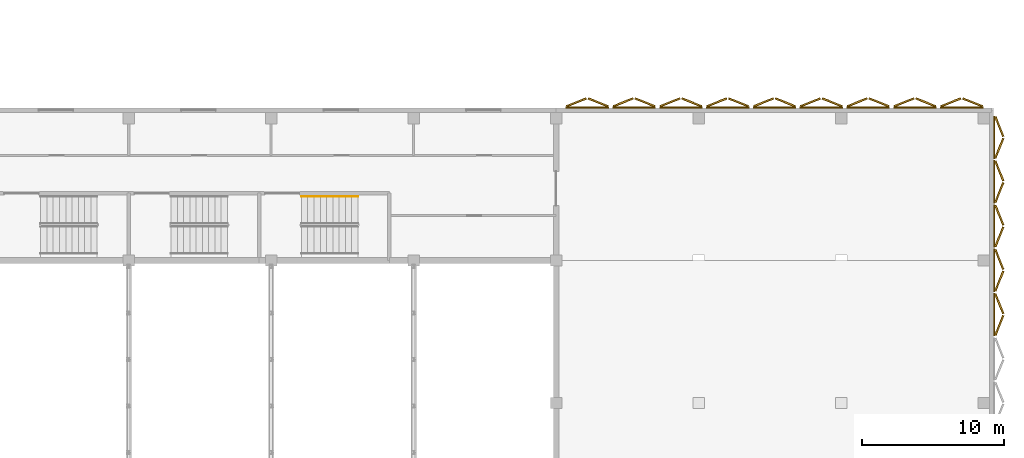
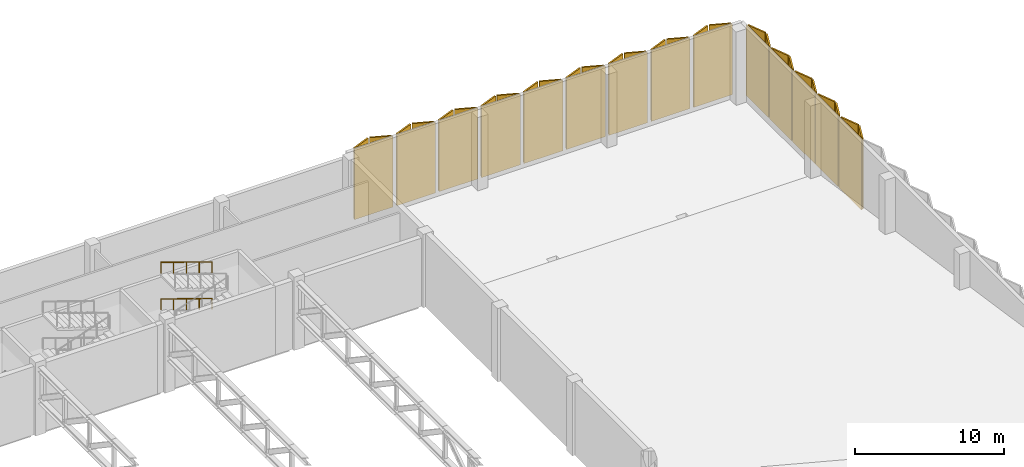
# One storey, part 51 of 51: 42 coverings, 2 railings.
"""IFC4 building model written with IfcOpenShell, lengths in metres."""

from ifc_helpers import new_model, si_unit, direction, frame, origin, origin_2d, place, context, subcontext, project, spatial, rectangle, circle, extrude, material, layer, layer_set, type_object, element, save


model = new_model("IFC4")

# Units and contexts
model_context = context("Model", 3, precision=1e-05, world=origin(), true_north=direction((0.0, 1.0)))
body_context = subcontext(model_context, "Body", "Model", "MODEL_VIEW")
ifc_project = project(units=[si_unit("LENGTHUNIT", "METRE"), si_unit("AREAUNIT", "SQUARE_METRE"), si_unit("VOLUMEUNIT", "CUBIC_METRE"), si_unit("PLANEANGLEUNIT", "RADIAN"), si_unit("MASSUNIT", "GRAM", prefix="KILO")], contexts=[model_context])

# Site, building, storey
site_placement = place(None, origin())
site = spatial("IfcSite", under=ifc_project, at=site_placement, CompositionType="ELEMENT")
building_placement = place(site_placement, origin())
building = spatial("IfcBuilding", under=site, at=building_placement, Name="Jabali Bay Hotel Tower and Convention Centre", CompositionType="ELEMENT")
storey_placement = place(building_placement, frame((0.0, 0.0, 9.0)))
storey = spatial("IfcBuildingStorey", under=building, at=storey_placement, Name="L01", CompositionType="ELEMENT", Elevation=9.0)

# Coverings
ifc_material_1 = material(Name="Precast concrete C40/50", Category="concrete")
ifc_layer_1 = layer(ifc_material_1, 0.1201171875)
ifc_layer_set_1 = layer_set([ifc_layer_1], Name="Precast concrete C40/50")
covering_type_1 = type_object("IfcCoveringType", Name="CC Relief blade 3000 x 5800", PredefinedType="CLADDING", material=ifc_layer_set_1)
for number, where, z_axis, x_axis, name in (
    (1, (251.8017578125, 95.44580078125, 0.10009765625), (0.0, 0.0, 1.0), (0.371390668473, 0.928476694038, 0.0), "CC relief panel E12 blade 1"),
    (2, (251.8017578125, 96.9658203125, 0.10009765625), (0.0, 0.0, 1.0), (0.371390668473, -0.928476694038, 0.0), "CC relief panel E12 blade 2"),
    (3, (251.8017578125, 98.5546875, 0.10009765625), (0.0, 0.0, 1.0), (0.371390668473, 0.928476694038, 0.0), "CC relief panel E13 blade 1"),
    (4, (251.8017578125, 100.07470703125, 0.10009765625), (0.0, 0.0, 1.0), (0.371390668473, -0.928476694038, 0.0), "CC relief panel E13 blade 2"),
    (5, (251.8017578125, 101.66357421875, 0.10009765625), (0.0, 0.0, 1.0), (0.371390668473, 0.928476694038, 0.0), "CC relief panel E14 blade 1"),
    (6, (251.8017578125, 103.18359375, 0.10009765625), (0.0, 0.0, 1.0), (0.371390668473, -0.928476694038, 0.0), "CC relief panel E14 blade 2"),
    (7, (251.8017578125, 104.7724609375, 0.10009765625), (0.0, 0.0, 1.0), (0.371390668473, 0.928476694038, 0.0), "CC relief panel E15 blade 1"),
    (8, (251.8017578125, 106.292236328125, 0.10009765625), (0.0, 0.0, 1.0), (0.371390668473, -0.928476694038, 0.0), "CC relief panel E15 blade 2"),
    (9, (251.8017578125, 107.881103515625, 0.10009765625), (0.0, 0.0, 1.0), (0.371390668473, 0.928476694038, 0.0), "CC relief panel E16 blade 1"),
    (10, (251.8017578125, 109.401123046875, 0.10009765625), (0.0, 0.0, 1.0), (0.371390668473, -0.928476694038, 0.0), "CC relief panel E16 blade 2"),
    (11, (222.125, 111.101806640625, 0.10009765625), (0.0, 0.0, 1.0), (0.928476694038, 0.371390668473, 0.0), "CC relief panel N1 blade 1"),
    (12, (223.64501953125, 111.101806640625, 0.10009765625), (0.0, 0.0, 1.0), (-0.928476694038, 0.371390668473, 0.0), "CC relief panel N1 blade 2"),
    (13, (225.409912109375, 111.101806640625, 0.10009765625), (0.0, 0.0, 1.0), (0.928476694038, 0.371390668473, 0.0), "CC relief panel N2 blade 1"),
    (14, (226.929931640625, 111.101806640625, 0.10009765625), (0.0, 0.0, 1.0), (-0.928476694038, 0.371390668473, 0.0), "CC relief panel N2 blade 2"),
    (15, (228.695068359375, 111.101806640625, 0.10009765625), (0.0, 0.0, 1.0), (0.928476694038, 0.371390668473, 0.0), "CC relief panel N3 blade 1"),
    (16, (230.215087890625, 111.101806640625, 0.10009765625), (0.0, 0.0, 1.0), (-0.928476694038, 0.371390668473, 0.0), "CC relief panel N3 blade 2"),
    (17, (231.97998046875, 111.101806640625, 0.10009765625), (0.0, 0.0, 1.0), (0.928476694038, 0.371390668473, 0.0), "CC relief panel N4 blade 1"),
    (18, (233.5, 111.101806640625, 0.10009765625), (0.0, 0.0, 1.0), (-0.928476694038, 0.371390668473, 0.0), "CC relief panel N4 blade 2"),
    (19, (235.264892578125, 111.101806640625, 0.10009765625), (0.0, 0.0, 1.0), (0.928476694038, 0.371390668473, 0.0), "CC relief panel N5 blade 1"),
    (20, (236.784912109375, 111.101806640625, 0.10009765625), (0.0, 0.0, 1.0), (-0.928476694038, 0.371390668473, 0.0), "CC relief panel N5 blade 2"),
    (21, (238.550048828125, 111.101806640625, 0.10009765625), (0.0, 0.0, 1.0), (0.928476694038, 0.371390668473, 0.0), "CC relief panel N6 blade 1"),
    (22, (240.070068359375, 111.101806640625, 0.10009765625), (0.0, 0.0, 1.0), (-0.928476694038, 0.371390668473, 0.0), "CC relief panel N6 blade 2"),
    (23, (241.8349609375, 111.101806640625, 0.10009765625), (0.0, 0.0, 1.0), (0.928476694038, 0.371390668473, 0.0), "CC relief panel N7 blade 1"),
    (24, (243.35498046875, 111.101806640625, 0.10009765625), (0.0, 0.0, 1.0), (-0.928476694038, 0.371390668473, 0.0), "CC relief panel N7 blade 2"),
    (25, (245.1201171875, 111.101806640625, 0.10009765625), (0.0, 0.0, 1.0), (0.928476694038, 0.371390668473, 0.0), "CC relief panel N8 blade 1"),
    (26, (246.639892578125, 111.101806640625, 0.10009765625), (0.0, 0.0, 1.0), (-0.928476694038, 0.371390668473, 0.0), "CC relief panel N8 blade 2"),
    (27, (248.405029296875, 111.101806640625, 0.10009765625), (0.0, 0.0, 1.0), (0.928476694038, 0.371390668473, 0.0), "CC relief panel N9 blade 1"),
    (28, (249.925048828125, 111.101806640625, 0.10009765625), (0.0, 0.0, 1.0), (-0.928476694038, 0.371390668473, 0.0), "CC relief panel N9 blade 2"),
):
    element("IfcCovering", number, at=place(storey_placement, frame(where, z_axis=z_axis, x_axis=x_axis)), inside=storey, type_object=covering_type_1, Name=name, PredefinedType="CLADDING", context=body_context, shape_type="SweptSolid", body=[
        extrude(rectangle(XDim=1.486328125, YDim=0.1201171875, at=origin_2d()), origin(), (0.0, 0.0, 1.0), 5.800048828125),
    ])
ifc_layer_2 = layer(ifc_material_1, 0.080078125)
ifc_layer_set_2 = layer_set([ifc_layer_2], Name="Precast concrete C40/50")
covering_type_2 = type_object("IfcCoveringType", Name="CC Relief panel 3000 x 5800", PredefinedType="CLADDING", material=ifc_layer_set_2)
for number, where, z_axis, x_axis, name in (
    (29, (251.43994140625, 96.205810546875, 0.10009765625), (0.0, 0.0, 1.0), (1.0, 0.0, 0.0), "CC relief panel E12"),
    (30, (251.43994140625, 99.314697265625, 0.10009765625), (0.0, 0.0, 1.0), (1.0, 0.0, 0.0), "CC relief panel E13"),
    (31, (251.43994140625, 102.423583984375, 0.10009765625), (0.0, 0.0, 1.0), (1.0, 0.0, 0.0), "CC relief panel E14"),
    (32, (251.43994140625, 105.532470703125, 0.10009765625), (0.0, 0.0, 1.0), (1.0, 0.0, 0.0), "CC relief panel E15"),
    (33, (251.43994140625, 108.64111328125, 0.10009765625), (0.0, 0.0, 1.0), (1.0, 0.0, 0.0), "CC relief panel E16"),
):
    element("IfcCovering", number, at=place(storey_placement, frame(where, z_axis=z_axis, x_axis=x_axis)), inside=storey, type_object=covering_type_2, Name=name, PredefinedType="CLADDING", context=body_context, shape_type="SweptSolid", body=[
        extrude(rectangle(XDim=0.080078125, YDim=3.0, at=origin_2d()), origin(), (0.0, 0.0, 1.0), 5.800048828125),
    ])
for number, where, z_axis, x_axis, name in (
    (34, (222.885009765625, 110.739990234375, 0.10009765625), (0.0, 0.0, 1.0), (1.0, 0.0, 0.0), "CC relief panel N1"),
    (35, (226.169921875, 110.739990234375, 0.10009765625), (0.0, 0.0, 1.0), (1.0, 0.0, 0.0), "CC relief panel N2"),
    (36, (229.455078125, 110.739990234375, 0.10009765625), (0.0, 0.0, 1.0), (1.0, 0.0, 0.0), "CC relief panel N3"),
    (37, (232.739990234375, 110.739990234375, 0.10009765625), (0.0, 0.0, 1.0), (1.0, 0.0, 0.0), "CC relief panel N4"),
    (38, (236.02490234375, 110.739990234375, 0.10009765625), (0.0, 0.0, 1.0), (1.0, 0.0, 0.0), "CC relief panel N5"),
    (39, (239.31005859375, 110.739990234375, 0.10009765625), (0.0, 0.0, 1.0), (1.0, 0.0, 0.0), "CC relief panel N6"),
    (40, (242.594970703125, 110.739990234375, 0.10009765625), (0.0, 0.0, 1.0), (1.0, 0.0, 0.0), "CC relief panel N7"),
    (41, (245.8798828125, 110.739990234375, 0.10009765625), (0.0, 0.0, 1.0), (1.0, 0.0, 0.0), "CC relief panel N8"),
    (42, (249.1650390625, 110.739990234375, 0.10009765625), (0.0, 0.0, 1.0), (1.0, 0.0, 0.0), "CC relief panel N9"),
):
    element("IfcCovering", number, at=place(storey_placement, frame(where, z_axis=z_axis, x_axis=x_axis)), inside=storey, type_object=covering_type_2, Name=name, PredefinedType="CLADDING", context=body_context, shape_type="SweptSolid", body=[
        extrude(rectangle(XDim=3.0, YDim=0.080078125, at=origin_2d()), origin(), (0.0, 0.0, 1.0), 5.800048828125),
    ])

# Railings
ifc_material_2 = material(Name="Stainless steel 304", Category="steel")
railing_type = type_object("IfcRailingType", Name="CC Stair Handrail 900", PredefinedType="HANDRAIL", material=ifc_material_2)
for number, where, name in (
    (43, (206.784912109375, 104.5, 1.64990234375), "L01 CC-STN3 stair handrail 2"),
    (44, (206.784912109375, 104.5, 4.64990234375), "L01 CC-STN3 stair handrail 4"),
):
    element("IfcRailing", number, at=place(storey_placement, frame(where)), inside=storey, type_object=railing_type, Name=name, PredefinedType="HANDRAIL", context=body_context, shape_type="SweptSolid", body=[
        extrude(circle(Radius=0.02392578125, at=origin_2d()), frame((0.0, 0.0, 0.8759765625), z_axis=(-0.946502086907, 0.0, 0.322697690542), x_axis=(0.0, -1.0, 0.0)), (0.0, 0.0, 1.0), 4.183837890625),
        extrude(circle(Radius=0.02099609375, at=origin_2d()), origin(), (0.0, 0.0, 1.0), 0.851806640625),
        extrude(circle(Radius=0.02099609375, at=origin_2d()), frame((-0.989990234375, 0.0, 0.33740234375)), (0.0, 0.0, 1.0), 0.851806640625),
        extrude(circle(Radius=0.02099609375, at=origin_2d()), frame((-1.97998046875, 0.0, 0.675048828125)), (0.0, 0.0, 1.0), 0.851806640625),
        extrude(circle(Radius=0.02099609375, at=origin_2d()), frame((-2.969970703125, 0.0, 1.0126953125)), (0.0, 0.0, 1.0), 0.851806640625),
        extrude(circle(Radius=0.02099609375, at=origin_2d()), frame((-3.9599609375, 0.0, 1.35009765625)), (0.0, 0.0, 1.0), 0.851806640625),
    ])

save(model, "model.ifc")
